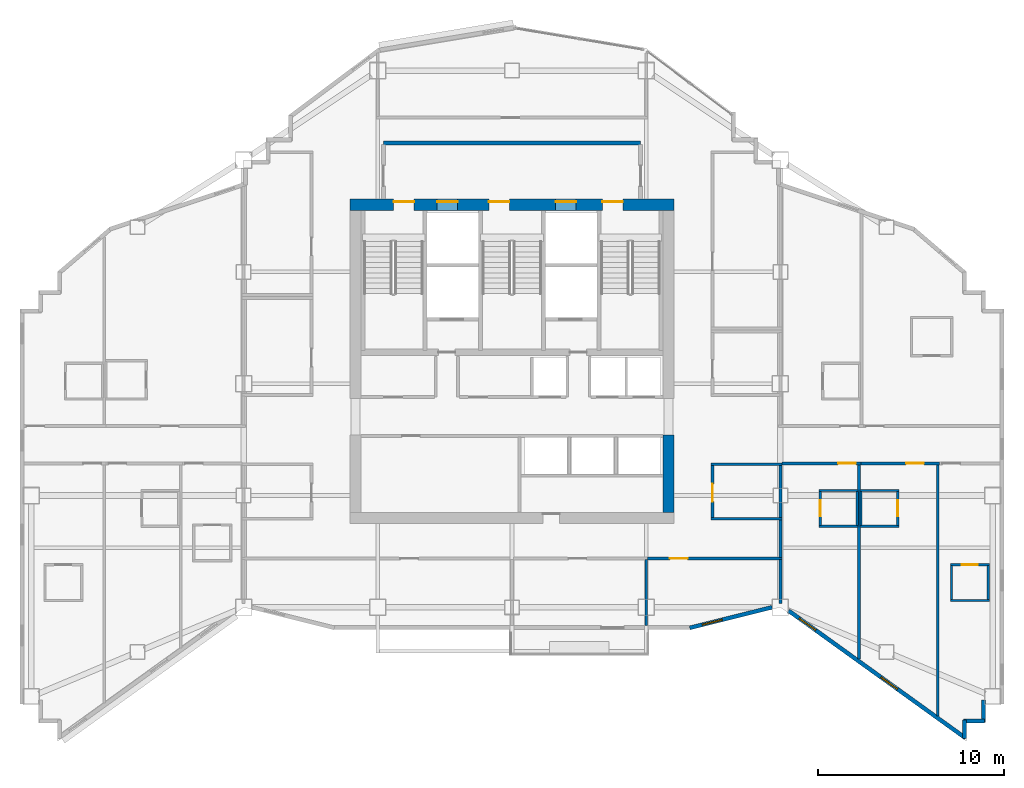
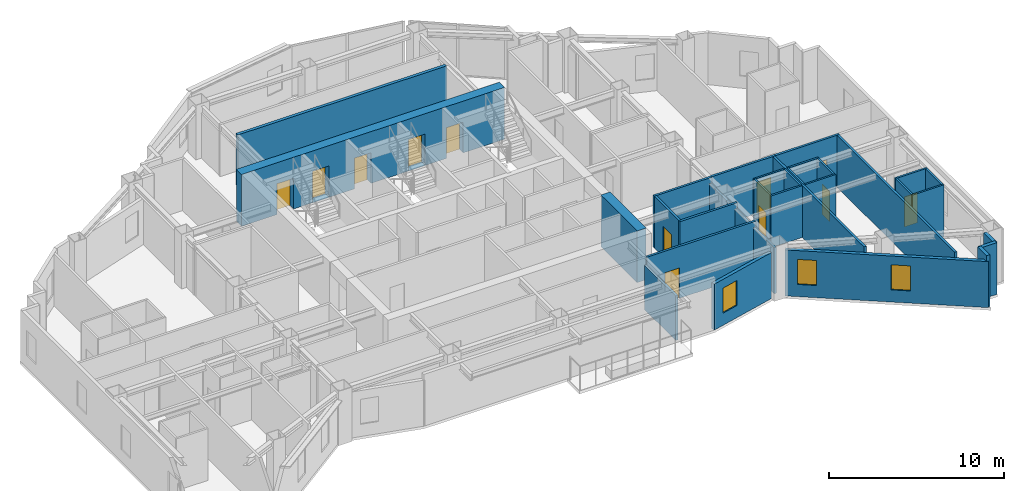
# One storey, part 7 of 11: 32 walls, 12 doors, 3 windows, 15 openings.
"""IFC4 building model written with IfcOpenShell, lengths in metres."""

from ifc_helpers import new_model, si_unit, direction, frame, frame_2d, origin, place, context, subcontext, project, spatial, rectangle, extrude, material, layer, layer_set, type_object, element, fill, save


model = new_model("IFC4")

# Units and contexts
model_context = context("Model", 3, precision=1e-05, world=origin(), true_north=direction((0.0, 1.0)))
body_context = subcontext(model_context, "Body", "Model", "MODEL_VIEW")
ifc_project = project(units=[si_unit("LENGTHUNIT", "METRE"), si_unit("AREAUNIT", "SQUARE_METRE"), si_unit("VOLUMEUNIT", "CUBIC_METRE"), si_unit("PLANEANGLEUNIT", "RADIAN"), si_unit("MASSUNIT", "GRAM", prefix="KILO")], contexts=[model_context])

# Site, building, storey
site_placement = place(None, origin())
site = spatial("IfcSite", under=ifc_project, at=site_placement, CompositionType="ELEMENT")
building_placement = place(site_placement, origin())
building = spatial("IfcBuilding", under=site, at=building_placement, Name="Haolan Belvedere Tower", CompositionType="ELEMENT")
storey_placement = place(building_placement, frame((0.0, 0.0, 199.39990234375)))
storey = spatial("IfcBuildingStorey", under=building, at=storey_placement, Name="L50", CompositionType="ELEMENT", Elevation=199.39990234375)

# Wall, openings, doors
ifc_material_1 = material(Name="Concrete C60/75", Category="concrete")
ifc_layer_1 = layer(ifc_material_1, 0.60009765625, Name="Concrete C60/75")
ifc_layer_set_1 = layer_set([ifc_layer_1], Name="Concrete C60/75")
wall_type_1 = type_object("IfcWallType", Name="WL-CORE-600", PredefinedType="SHEAR", material=ifc_layer_set_1)
wall_1_placement = place(storey_placement, frame((29.699951171875, 43.199951171875, 0.0), z_axis=(0.0, 0.0, 1.0), x_axis=(1.0, 0.0, 0.0)))
wall_1 = element("IfcWall", 1, at=wall_1_placement, inside=storey, type_object=wall_type_1, Name="L50 central core north shear wall", PredefinedType="SHEAR", context=body_context, shape_type="SweptSolid", body=[
    extrude(rectangle(XDim=17.400146484375, YDim=0.60009765625, at=frame_2d((8.7001953125, 0.0))), origin(), (0.0, 0.0, 1.0), 3.6201171875),
])
opening_1_placement = place(wall_1_placement, frame((2.35009765625, 0.0, 0.0)))
opening_1 = element("IfcOpeningElement", 2, at=opening_1_placement, cuts=wall_1, Name="Opening FD-03", PredefinedType="OPENING", context=body_context, shape_type="SweptSolid", body=[
    extrude(rectangle(XDim=1.10009765625, YDim=2.14990234375, at=frame_2d((0.550048828125, 1.074951171875))), frame((0.0, 0.31005859375, 0.0), z_axis=(0.0, -1.0, 0.0), x_axis=(1.0, 0.0, 0.0)), (0.0, 0.0, 1.0), 0.6201171875),
])
opening_2_placement = place(wall_1_placement, frame((7.4599609375, 0.0, 0.0)))
opening_2 = element("IfcOpeningElement", 3, at=opening_2_placement, cuts=wall_1, Name="Opening FD-03", PredefinedType="OPENING", context=body_context, shape_type="SweptSolid", body=[
    extrude(rectangle(XDim=1.10009765625, YDim=2.14990234375, at=frame_2d((0.550048828125, 1.074951171875))), frame((0.0, 0.31005859375, 0.0), z_axis=(0.0, -1.0, 0.0), x_axis=(1.0, 0.0, 0.0)), (0.0, 0.0, 1.0), 0.6201171875),
])
opening_3_placement = place(wall_1_placement, frame((13.550048828125, 0.0, 0.0)))
opening_3 = element("IfcOpeningElement", 4, at=opening_3_placement, cuts=wall_1, Name="Opening FD-03", PredefinedType="OPENING", context=body_context, shape_type="SweptSolid", body=[
    extrude(rectangle(XDim=1.10009765625, YDim=2.14990234375, at=frame_2d((0.550048828125, 1.074951171875))), frame((0.0, 0.31005859375, 0.0), z_axis=(0.0, -1.0, 0.0), x_axis=(1.0, 0.0, 0.0)), (0.0, 0.0, 1.0), 0.6201171875),
])
opening_4_placement = place(wall_1_placement, frame((4.679931640625, 0.0, 0.0)))
opening_4 = element("IfcOpeningElement", 5, at=opening_4_placement, cuts=wall_1, Name="Opening LD-01", PredefinedType="OPENING", context=body_context, shape_type="SweptSolid", body=[
    extrude(rectangle(XDim=1.10009765625, YDim=2.199951171875, at=frame_2d((0.550048828125, 1.10009765625))), frame((0.0, 0.31005859375, 0.0), z_axis=(0.0, -1.0, 0.0), x_axis=(1.0, 0.0, 0.0)), (0.0, 0.0, 1.0), 0.6201171875),
])
opening_5_placement = place(wall_1_placement, frame((11.0400390625, 0.0, 0.0)))
opening_5 = element("IfcOpeningElement", 6, at=opening_5_placement, cuts=wall_1, Name="Opening LD-01", PredefinedType="OPENING", context=body_context, shape_type="SweptSolid", body=[
    extrude(rectangle(XDim=1.10009765625, YDim=2.199951171875, at=frame_2d((0.550048828125, 1.10009765625))), frame((0.0, 0.31005859375, 0.0), z_axis=(0.0, -1.0, 0.0), x_axis=(1.0, 0.0, 0.0)), (0.0, 0.0, 1.0), 0.6201171875),
])
ifc_material_2 = material(Name="Galvanised fire-rated steel", Category="steel")
door_type_1 = type_object("IfcDoorType", Name="DR-FD90-1100", OperationType="NOTDEFINED", PredefinedType="DOOR", material=ifc_material_2)
door_1_placement = place(opening_1_placement, origin())
door_1 = element("IfcDoor", 7, at=door_1_placement, inside=storey, type_object=door_type_1, Name="L50 door CD-L50-ST1", OperationType="SINGLE_SWING_LEFT", OverallHeight=2.14990234375, OverallWidth=1.10009765625, PredefinedType="DOOR", context=body_context, shape_type="SweptSolid", body=[
    extrude(rectangle(XDim=1.10009765625, YDim=2.14990234375, at=frame_2d((0.550048828125, 1.074951171875))), frame((0.0, 0.18505859375, 0.0), z_axis=(0.0, -1.0, 0.0), x_axis=(1.0, 0.0, 0.0)), (0.0, 0.0, 1.0), 0.050048828125),
])
fill(opening_1, door_1)
door_2_placement = place(opening_2_placement, origin())
door_2 = element("IfcDoor", 8, at=door_2_placement, inside=storey, type_object=door_type_1, Name="L50 door CD-L50-ST3", OperationType="SINGLE_SWING_LEFT", OverallHeight=2.14990234375, OverallWidth=1.10009765625, PredefinedType="DOOR", context=body_context, shape_type="SweptSolid", body=[
    extrude(rectangle(XDim=1.10009765625, YDim=2.14990234375, at=frame_2d((0.550048828125, 1.074951171875))), frame((0.0, 0.18505859375, 0.0), z_axis=(0.0, -1.0, 0.0), x_axis=(1.0, 0.0, 0.0)), (0.0, 0.0, 1.0), 0.050048828125),
])
fill(opening_2, door_2)
door_3_placement = place(opening_3_placement, origin())
door_3 = element("IfcDoor", 9, at=door_3_placement, inside=storey, type_object=door_type_1, Name="L50 door CD-L50-ST2", OperationType="SINGLE_SWING_RIGHT", OverallHeight=2.14990234375, OverallWidth=1.10009765625, PredefinedType="DOOR", context=body_context, shape_type="SweptSolid", body=[
    extrude(rectangle(XDim=1.10009765625, YDim=2.14990234375, at=frame_2d((0.550048828125, 1.074951171875))), frame((0.0, 0.18505859375, 0.0), z_axis=(0.0, -1.0, 0.0), x_axis=(1.0, 0.0, 0.0)), (0.0, 0.0, 1.0), 0.050048828125),
])
fill(opening_3, door_3)
ifc_material_3 = material(Name="Brushed champagne stainless steel 316L", Category="steel")
door_type_2 = type_object("IfcDoorType", Name="DR-LIFT-1100", OperationType="SLIDING_TO_LEFT", PredefinedType="DOOR", material=ifc_material_3)
door_4_placement = place(opening_4_placement, origin())
door_4 = element("IfcDoor", 10, at=door_4_placement, inside=storey, type_object=door_type_2, Name="L50 door LD-L50-FF1", OperationType="SLIDING_TO_LEFT", OverallHeight=2.199951171875, OverallWidth=1.10009765625, PredefinedType="DOOR", context=body_context, shape_type="SweptSolid", body=[
    extrude(rectangle(XDim=1.10009765625, YDim=2.199951171875, at=frame_2d((0.550048828125, 1.10009765625))), frame((0.0, 0.18505859375, 0.0), z_axis=(0.0, -1.0, 0.0), x_axis=(1.0, 0.0, 0.0)), (0.0, 0.0, 1.0), 0.050048828125),
])
fill(opening_4, door_4)
door_5_placement = place(opening_5_placement, origin())
door_5 = element("IfcDoor", 11, at=door_5_placement, inside=storey, type_object=door_type_2, Name="L50 door LD-L50-FF2", OperationType="SLIDING_TO_LEFT", OverallHeight=2.199951171875, OverallWidth=1.10009765625, PredefinedType="DOOR", context=body_context, shape_type="SweptSolid", body=[
    extrude(rectangle(XDim=1.10009765625, YDim=2.199951171875, at=frame_2d((0.550048828125, 1.10009765625))), frame((0.0, 0.18505859375, 0.0), z_axis=(0.0, -1.0, 0.0), x_axis=(1.0, 0.0, 0.0)), (0.0, 0.0, 1.0), 0.050048828125),
])
fill(opening_5, door_5)

# Wall
wall_2_placement = place(storey_placement, frame((46.800048828125, 26.699951171875, 0.0), z_axis=(0.0, 0.0, 1.0), x_axis=(0.0, 1.0, 0.0)))
element("IfcWall", 12, at=wall_2_placement, inside=storey, type_object=wall_type_1, Name="L50 central core shear wall ES", PredefinedType="SHEAR", context=body_context, shape_type="SweptSolid", body=[
    extrude(rectangle(XDim=4.150146484375, YDim=0.60009765625, at=frame_2d((2.0751953125, 0.0))), origin(), (0.0, 0.0, 1.0), 3.6201171875),
])

# Wall, opening, window
ifc_material_4 = material(Name="Precast concrete C40/50", Category="concrete")
ifc_layer_2 = layer(ifc_material_4, 0.219970703125, Name="Precast concrete C40/50")
ifc_layer_set_2 = layer_set([ifc_layer_2], Name="Precast concrete C40/50")
wall_type_2 = type_object("IfcWallType", Name="WL-EXT-220", PredefinedType="SOLIDWALL", material=ifc_layer_set_2)
wall_3_placement = place(storey_placement, frame((47.93310546875, 20.49658203125, 0.0), z_axis=(0.0, 0.0, 1.0), x_axis=(0.970142500145, 0.242535625036, 0.0)))
wall_3 = element("IfcWall", 13, at=wall_3_placement, inside=storey, type_object=wall_type_2, Name="L50 pale-metal exterior spandrel wall 2.1", PredefinedType="SOLIDWALL", context=body_context, shape_type="SweptSolid", body=[
    extrude(rectangle(XDim=4.56103515625, YDim=0.219970703125, at=frame_2d((2.280517578125, 0.0))), origin(), (0.0, 0.0, 1.0), 3.215087890625),
])
opening_6_placement = place(wall_3_placement, frame((0.699951171875, 0.0, 0.85009765625)))
opening_6 = element("IfcOpeningElement", 14, at=opening_6_placement, cuts=wall_3, Name="Opening W-03", PredefinedType="OPENING", context=body_context, shape_type="SweptSolid", body=[
    extrude(rectangle(XDim=1.10009765625, YDim=1.75, at=frame_2d((0.550048828125, 0.875))), frame((0.0, 0.119873046875, 0.0), z_axis=(0.0, -1.0, 0.0), x_axis=(1.0, 0.0, 0.0)), (0.0, 0.0, 1.0), 0.239990234375),
])
ifc_material_5 = material(Name="Anodised aluminium 6063-T6 and Low-E glass", Category="aluminium")
window_type = type_object("IfcWindowType", Name="WN-DECO-Z3", PartitioningType="SINGLE_PANEL", PredefinedType="WINDOW", material=ifc_material_5)
window_1_placement = place(opening_6_placement, origin())
window_1 = element("IfcWindow", 15, at=window_1_placement, inside=storey, type_object=window_type, Name="L50 Art Deco chevron window 1", OverallHeight=1.75, OverallWidth=1.10009765625, PartitioningType="SINGLE_PANEL", PredefinedType="WINDOW", context=body_context, shape_type="SweptSolid", body=[
    extrude(rectangle(XDim=1.10009765625, YDim=1.75, at=frame_2d((0.550048828125, 0.875))), frame((0.0, 0.030029296875, 0.0), z_axis=(0.0, -1.0, 0.0), x_axis=(1.0, 0.0, 0.0)), (0.0, 0.0, 1.0), 0.06005859375),
])
fill(opening_6, window_1)

# Wall, openings, windows
wall_4_placement = place(storey_placement, frame((53.241943359375, 21.417236328125, 0.0), z_axis=(0.0, 0.0, 1.0), x_axis=(0.811534737332, -0.58430417601, 0.0)))
wall_4 = element("IfcWall", 16, at=wall_4_placement, inside=storey, type_object=wall_type_2, Name="L50 pale-metal exterior spandrel wall 3.1", PredefinedType="SOLIDWALL", context=body_context, shape_type="SweptSolid", body=[
    extrude(rectangle(XDim=11.697265625, YDim=0.219970703125, at=frame_2d((5.8486328125, 0.0))), origin(), (0.0, 0.0, 1.0), 3.215087890625),
])
opening_7_placement = place(wall_4_placement, frame((0.699951171875, 0.0, 0.85009765625)))
opening_7 = element("IfcOpeningElement", 17, at=opening_7_placement, cuts=wall_4, Name="Opening W-03", PredefinedType="OPENING", context=body_context, shape_type="SweptSolid", body=[
    extrude(rectangle(XDim=1.10009765625, YDim=1.75, at=frame_2d((0.550048828125, 0.875))), frame((0.0, 0.119873046875, 0.0), z_axis=(0.0, -1.0, 0.0), x_axis=(1.0, 0.0, 0.0)), (0.0, 0.0, 1.0), 0.239990234375),
])
opening_8_placement = place(wall_4_placement, frame((6.10009765625, 0.0, 0.85009765625)))
opening_8 = element("IfcOpeningElement", 18, at=opening_8_placement, cuts=wall_4, Name="Opening W-03", PredefinedType="OPENING", context=body_context, shape_type="SweptSolid", body=[
    extrude(rectangle(XDim=1.10009765625, YDim=1.75, at=frame_2d((0.550048828125, 0.875))), frame((0.0, 0.119873046875, 0.0), z_axis=(0.0, -1.0, 0.0), x_axis=(1.0, 0.0, 0.0)), (0.0, 0.0, 1.0), 0.239990234375),
])
window_2_placement = place(opening_7_placement, origin())
window_2 = element("IfcWindow", 19, at=window_2_placement, inside=storey, type_object=window_type, Name="L50 Art Deco chevron window 1", OverallHeight=1.75, OverallWidth=1.10009765625, PartitioningType="SINGLE_PANEL", PredefinedType="WINDOW", context=body_context, shape_type="SweptSolid", body=[
    extrude(rectangle(XDim=1.10009765625, YDim=1.75, at=frame_2d((0.550048828125, 0.875))), frame((0.0, 0.030029296875, 0.0), z_axis=(0.0, -1.0, 0.0), x_axis=(1.0, 0.0, 0.0)), (0.0, 0.0, 1.0), 0.06005859375),
])
fill(opening_7, window_2)
window_3_placement = place(opening_8_placement, origin())
window_3 = element("IfcWindow", 20, at=window_3_placement, inside=storey, type_object=window_type, Name="L50 Art Deco chevron window 2", OverallHeight=1.75, OverallWidth=1.10009765625, PartitioningType="SINGLE_PANEL", PredefinedType="WINDOW", context=body_context, shape_type="SweptSolid", body=[
    extrude(rectangle(XDim=1.10009765625, YDim=1.75, at=frame_2d((0.550048828125, 0.875))), frame((0.0, 0.030029296875, 0.0), z_axis=(0.0, -1.0, 0.0), x_axis=(1.0, 0.0, 0.0)), (0.0, 0.0, 1.0), 0.06005859375),
])
fill(opening_8, window_3)

# Walls
wall_5_placement = place(storey_placement, frame((62.68994140625, 14.559814453125, 0.0), z_axis=(0.0, 0.0, 1.0), x_axis=(0.0, 1.0, 0.0)))
element("IfcWall", 21, at=wall_5_placement, inside=storey, type_object=wall_type_2, Name="L50 pale-metal exterior spandrel wall 4.1", PredefinedType="SOLIDWALL", context=body_context, shape_type="SweptSolid", body=[
    extrude(rectangle(XDim=1.005126953125, YDim=0.219970703125, at=frame_2d((0.50244140625, 0.0))), origin(), (0.0, 0.0, 1.0), 3.6201171875),
])
wall_6_placement = place(storey_placement, frame((62.635009765625, 15.510009765625, 0.0), z_axis=(0.0, 0.0, 1.0), x_axis=(1.0, 0.0, 0.0)))
element("IfcWall", 22, at=wall_6_placement, inside=storey, type_object=wall_type_2, Name="L50 pale-metal exterior spandrel wall 5.1", PredefinedType="SOLIDWALL", context=body_context, shape_type="SweptSolid", body=[
    extrude(rectangle(XDim=1.110107421875, YDim=0.219970703125, at=frame_2d((0.55517578125, 0.0))), origin(), (0.0, 0.0, 1.0), 3.6201171875),
])
wall_7_placement = place(storey_placement, frame((63.68994140625, 15.455078125, 0.0), z_axis=(0.0, 0.0, 1.0), x_axis=(0.0, 1.0, 0.0)))
element("IfcWall", 23, at=wall_7_placement, inside=storey, type_object=wall_type_2, Name="L50 pale-metal exterior spandrel wall 6.1", PredefinedType="SOLIDWALL", context=body_context, shape_type="SweptSolid", body=[
    extrude(rectangle(XDim=1.1650390625, YDim=0.219970703125, at=frame_2d((0.58251953125, 0.0))), origin(), (0.0, 0.0, 1.0), 3.6201171875),
])
ifc_material_6 = material(Name="Concrete C40/50", Category="concrete")
ifc_layer_3 = layer(ifc_material_6, 0.199951171875, Name="Concrete C40/50")
ifc_layer_set_3 = layer_set([ifc_layer_3], Name="Concrete C40/50")
wall_type_3 = type_object("IfcWallType", Name="WL-FIRE-200", PredefinedType="SOLIDWALL", material=ifc_layer_set_3)
wall_8_placement = place(storey_placement, frame((31.5, 46.52001953125, 0.0), z_axis=(0.0, 0.0, 1.0), x_axis=(1.0, 0.0, 0.0)))
element("IfcWall", 24, at=wall_8_placement, inside=storey, type_object=wall_type_3, Name="L50 interior partition IW-L50-FFL-N", PredefinedType="SOLIDWALL", context=body_context, shape_type="SweptSolid", body=[
    extrude(rectangle(XDim=13.800048828125, YDim=0.199951171875, at=frame_2d((6.89990234375, 0.0))), origin(), (0.0, 0.0, 1.0), 3.6201171875),
])
ifc_material_7 = material(Name="Double gypsum acoustic stud partition", Category="masonry")
ifc_layer_4 = layer(ifc_material_7, 0.14990234375, Name="Double gypsum acoustic stud partition")
ifc_layer_set_4 = layer_set([ifc_layer_4], Name="Double gypsum acoustic stud partition")
wall_type_4 = type_object("IfcWallType", Name="WL-PART-150", PredefinedType="PARTITIONING", material=ifc_layer_set_4)
for number, where, z_axis, x_axis, name in (
    (25, (49.080078125, 29.280029296875, 0.0), (0.0, 0.0, 1.0), (1.0, 0.0, 0.0), "L50 interior partition IW-L50-PKTE-N"),
    (26, (49.080078125, 26.35009765625, 0.0), (0.0, 0.0, 1.0), (1.0, 0.0, 0.0), "L50 interior partition IW-L50-PKTE-S"),
):
    element("IfcWall", number, at=place(storey_placement, frame(where, z_axis=z_axis, x_axis=x_axis)), inside=storey, type_object=wall_type_4, Name=name, PredefinedType="PARTITIONING", context=body_context, shape_type="SweptSolid", body=[
        extrude(rectangle(XDim=3.7998046875, YDim=0.14990234375, at=frame_2d((1.89990234375, 0.0))), origin(), (0.0, 0.0, 1.0), 3.6201171875),
    ])

# Wall, opening, door
wall_9_placement = place(storey_placement, frame((49.159912109375, 26.409912109375, 0.0), z_axis=(0.0, 0.0, 1.0), x_axis=(0.0, 1.0, 0.0)))
wall_9 = element("IfcWall", 27, at=wall_9_placement, inside=storey, type_object=wall_type_4, Name="L50 interior partition IW-L50-PKTE-W", PredefinedType="PARTITIONING", context=body_context, shape_type="SweptSolid", body=[
    extrude(rectangle(XDim=2.81005859375, YDim=0.14990234375, at=frame_2d((1.405029296875, 0.0))), origin(), (0.0, 0.0, 1.0), 3.6201171875),
])
opening_9_placement = place(wall_9_placement, frame((0.860107421875, 0.0, 0.0)))
opening_9 = element("IfcOpeningElement", 28, at=opening_9_placement, cuts=wall_9, Name="Opening ID-03", PredefinedType="OPENING", context=body_context, shape_type="SweptSolid", body=[
    extrude(rectangle(XDim=0.949951171875, YDim=2.1201171875, at=frame_2d((0.47509765625, 1.06005859375))), frame((0.0, 0.0849609375, 0.0), z_axis=(0.0, -1.0, 0.0), x_axis=(1.0, 0.0, 0.0)), (0.0, 0.0, 1.0), 0.169921875),
])
ifc_material_8 = material(Name="Painted solid-core timber", Category="wood")
door_type_3 = type_object("IfcDoorType", Name="DR-INT-950", OperationType="NOTDEFINED", PredefinedType="DOOR", material=ifc_material_8)
door_6_placement = place(opening_9_placement, origin())
door_6 = element("IfcDoor", 29, at=door_6_placement, inside=storey, type_object=door_type_3, Name="L50 door ID-L50-PKTE", OperationType="SINGLE_SWING_RIGHT", OverallHeight=2.1201171875, OverallWidth=0.949951171875, PredefinedType="DOOR", context=body_context, shape_type="SweptSolid", body=[
    extrude(rectangle(XDim=0.949951171875, YDim=2.1201171875, at=frame_2d((0.47509765625, 1.06005859375))), frame((0.0, 0.02490234375, 0.0), z_axis=(0.0, -1.0, 0.0), x_axis=(1.0, 0.0, 0.0)), (0.0, 0.0, 1.0), 0.050048828125),
])
fill(opening_9, door_6)

# Walls
wall_10_placement = place(storey_placement, frame((52.800048828125, 26.409912109375, 0.0), z_axis=(0.0, 0.0, 1.0), x_axis=(0.0, 1.0, 0.0)))
element("IfcWall", 30, at=wall_10_placement, inside=storey, type_object=wall_type_4, Name="L50 interior partition IW-L50-PKTE-E", PredefinedType="PARTITIONING", context=body_context, shape_type="SweptSolid", body=[
    extrude(rectangle(XDim=2.81005859375, YDim=0.14990234375, at=frame_2d((1.405029296875, 0.0))), origin(), (0.0, 0.0, 1.0), 3.215087890625),
])
wall_11_placement = place(storey_placement, frame((45.60009765625, 20.612060546875, 0.0), z_axis=(0.0, 0.0, 1.0), x_axis=(0.0, 1.0, 0.0)))
element("IfcWall", 31, at=wall_11_placement, inside=storey, type_object=wall_type_4, Name="L50 interior partition IW-L50-KS2-E", PredefinedType="PARTITIONING", context=body_context, shape_type="SweptSolid", body=[
    extrude(rectangle(XDim=3.5478515625, YDim=0.14990234375, at=frame_2d((1.77392578125, 0.0))), origin(), (0.0, 0.0, 1.0), 3.10498046875),
])

# Wall, opening, door
wall_12_placement = place(storey_placement, frame((45.681884765625, 24.219970703125, 0.0), z_axis=(0.0, 0.0, 1.0), x_axis=(1.0, 0.0, 0.0)))
wall_12 = element("IfcWall", 32, at=wall_12_placement, inside=storey, type_object=wall_type_4, Name="L50 interior partition IW-L50-KS3-N", PredefinedType="PARTITIONING", context=body_context, shape_type="SweptSolid", body=[
    extrude(rectangle(XDim=7.197998046875, YDim=0.14990234375, at=frame_2d((3.59912109375, 0.0))), origin(), (0.0, 0.0, 1.0), 3.6201171875),
])
opening_10_placement = place(wall_12_placement, frame((2.14306640625, 0.0, 0.0), z_axis=(0.0, 0.0, 1.0), x_axis=(-1.0, 0.0, 0.0)))
opening_10 = element("IfcOpeningElement", 33, at=opening_10_placement, cuts=wall_12, Name="Opening ID-03", PredefinedType="OPENING", context=body_context, shape_type="SweptSolid", body=[
    extrude(rectangle(XDim=0.949951171875, YDim=2.1201171875, at=frame_2d((0.47509765625, 1.06005859375))), frame((0.0, 0.0849609375, 0.0), z_axis=(0.0, -1.0, 0.0), x_axis=(1.0, 0.0, 0.0)), (0.0, 0.0, 1.0), 0.169921875),
])
door_7_placement = place(opening_10_placement, origin())
door_7 = element("IfcDoor", 34, at=door_7_placement, inside=storey, type_object=door_type_3, Name="L50 door ID-L50-KS3", OperationType="SINGLE_SWING_RIGHT", OverallHeight=2.1201171875, OverallWidth=0.949951171875, PredefinedType="DOOR", context=body_context, shape_type="SweptSolid", body=[
    extrude(rectangle(XDim=0.949951171875, YDim=2.1201171875, at=frame_2d((0.47509765625, 1.06005859375))), frame((0.0, 0.02490234375, 0.0), z_axis=(0.0, -1.0, 0.0), x_axis=(1.0, 0.0, 0.0)), (0.0, 0.0, 1.0), 0.050048828125),
])
fill(opening_10, door_7)

# Wall
wall_13_placement = place(storey_placement, frame((52.800048828125, 21.818603515625, 0.0), z_axis=(0.0, 0.0, 1.0), x_axis=(0.0, 1.0, 0.0)))
element("IfcWall", 35, at=wall_13_placement, inside=storey, type_object=wall_type_4, Name="L50 interior partition IW-L50-KS3-E", PredefinedType="PARTITIONING", context=body_context, shape_type="SweptSolid", body=[
    extrude(rectangle(XDim=2.34130859375, YDim=0.14990234375, at=frame_2d((1.170654296875, 0.0))), origin(), (0.0, 0.0, 1.0), 3.215087890625),
])

# Wall, opening, door
wall_14_placement = place(storey_placement, frame((52.882080078125, 29.320068359375, 0.0), z_axis=(0.0, 0.0, 1.0), x_axis=(1.0, 0.0, 0.0)))
wall_14 = element("IfcWall", 36, at=wall_14_placement, inside=storey, type_object=wall_type_4, Name="L50 interior partition IW-L50-T4S1-N", PredefinedType="PARTITIONING", context=body_context, shape_type="SweptSolid", body=[
    extrude(rectangle(XDim=4.238037109375, YDim=0.14990234375, at=frame_2d((2.119140625, 0.0))), origin(), (0.0, 0.0, 1.0), 3.6201171875),
])
opening_11_placement = place(wall_14_placement, frame((3.971923828125, 0.0, 0.0), z_axis=(0.0, 0.0, 1.0), x_axis=(-1.0, 0.0, 0.0)))
opening_11 = element("IfcOpeningElement", 37, at=opening_11_placement, cuts=wall_14, Name="Opening ID-02", PredefinedType="OPENING", context=body_context, shape_type="SweptSolid", body=[
    extrude(rectangle(XDim=0.949951171875, YDim=2.14990234375, at=frame_2d((0.47509765625, 1.074951171875))), frame((0.0, 0.0849609375, 0.0), z_axis=(0.0, -1.0, 0.0), x_axis=(1.0, 0.0, 0.0)), (0.0, 0.0, 1.0), 0.169921875),
])
ifc_material_9 = material(Name="Acoustic oak veneer fire-rated timber", Category="wood")
door_type_4 = type_object("IfcDoorType", Name="DR-GUEST-950", OperationType="NOTDEFINED", PredefinedType="DOOR", material=ifc_material_9)
door_8_placement = place(opening_11_placement, origin())
door_8 = element("IfcDoor", 38, at=door_8_placement, inside=storey, type_object=door_type_4, Name="L50 door ID-L50-T4S1-ENT", OperationType="SINGLE_SWING_LEFT", OverallHeight=2.14990234375, OverallWidth=0.949951171875, PredefinedType="DOOR", context=body_context, shape_type="SweptSolid", body=[
    extrude(rectangle(XDim=0.949951171875, YDim=2.14990234375, at=frame_2d((0.47509765625, 1.074951171875))), frame((0.0, 0.02490234375, 0.0), z_axis=(0.0, -1.0, 0.0), x_axis=(1.0, 0.0, 0.0)), (0.0, 0.0, 1.0), 0.050048828125),
])
fill(opening_11, door_8)

# Walls
wall_15_placement = place(storey_placement, frame((52.800048828125, 24.280029296875, 0.0), z_axis=(0.0, 0.0, 1.0), x_axis=(0.0, 1.0, 0.0)))
element("IfcWall", 39, at=wall_15_placement, inside=storey, type_object=wall_type_4, Name="L50 interior partition IW-L50-T4S1-W", PredefinedType="PARTITIONING", context=body_context, shape_type="SweptSolid", body=[
    extrude(rectangle(XDim=2.010009765625, YDim=0.14990234375, at=frame_2d((1.0048828125, 0.0))), origin(), (0.0, 0.0, 1.0), 3.215087890625),
])
wall_16_placement = place(storey_placement, frame((57.02001953125, 18.82275390625, 0.0), z_axis=(0.0, 0.0, 1.0), x_axis=(0.0, 1.0, 0.0)))
element("IfcWall", 40, at=wall_16_placement, inside=storey, type_object=wall_type_4, Name="L50 interior partition IW-L50-T4S1-E", PredefinedType="PARTITIONING", context=body_context, shape_type="SweptSolid", body=[
    extrude(rectangle(XDim=10.437255859375, YDim=0.14990234375, at=frame_2d((5.21875, 0.0))), origin(), (0.0, 0.0, 1.0), 3.6201171875),
])

# Wall, opening, door
wall_17_placement = place(storey_placement, frame((57.1220703125, 29.320068359375, 0.0), z_axis=(0.0, 0.0, 1.0), x_axis=(1.0, 0.0, 0.0)))
wall_17 = element("IfcWall", 41, at=wall_17_placement, inside=storey, type_object=wall_type_4, Name="L50 interior partition IW-L50-T4S2-N", PredefinedType="PARTITIONING", context=body_context, shape_type="SweptSolid", body=[
    extrude(rectangle(XDim=4.22802734375, YDim=0.14990234375, at=frame_2d((2.114013671875, 0.0))), origin(), (0.0, 0.0, 1.0), 3.6201171875),
])
opening_12_placement = place(wall_17_placement, frame((3.37939453125, 0.0, 0.0), z_axis=(0.0, 0.0, 1.0), x_axis=(-1.0, 0.0, 0.0)))
opening_12 = element("IfcOpeningElement", 42, at=opening_12_placement, cuts=wall_17, Name="Opening ID-02", PredefinedType="OPENING", context=body_context, shape_type="SweptSolid", body=[
    extrude(rectangle(XDim=0.949951171875, YDim=2.14990234375, at=frame_2d((0.47509765625, 1.074951171875))), frame((0.0, 0.0849609375, 0.0), z_axis=(0.0, -1.0, 0.0), x_axis=(1.0, 0.0, 0.0)), (0.0, 0.0, 1.0), 0.169921875),
])
door_9_placement = place(opening_12_placement, origin())
door_9 = element("IfcDoor", 43, at=door_9_placement, inside=storey, type_object=door_type_4, Name="L50 door ID-L50-T4S2-ENT", OperationType="SINGLE_SWING_RIGHT", OverallHeight=2.14990234375, OverallWidth=0.949951171875, PredefinedType="DOOR", context=body_context, shape_type="SweptSolid", body=[
    extrude(rectangle(XDim=0.949951171875, YDim=2.14990234375, at=frame_2d((0.47509765625, 1.074951171875))), frame((0.0, 0.02490234375, 0.0), z_axis=(0.0, -1.0, 0.0), x_axis=(1.0, 0.0, 0.0)), (0.0, 0.0, 1.0), 0.050048828125),
])
fill(opening_12, door_9)

# Walls
wall_18_placement = place(storey_placement, frame((61.25, 15.777099609375, 0.0), z_axis=(0.0, 0.0, 1.0), x_axis=(0.0, 1.0, 0.0)))
element("IfcWall", 44, at=wall_18_placement, inside=storey, type_object=wall_type_4, Name="L50 interior partition IW-L50-T4S2-E", PredefinedType="PARTITIONING", context=body_context, shape_type="SweptSolid", body=[
    extrude(rectangle(XDim=13.48291015625, YDim=0.14990234375, at=frame_2d((6.741455078125, 0.0))), origin(), (0.0, 0.0, 1.0), 3.6201171875),
])
ifc_material_10 = material(Name="Moisture-resistant gypsum tile partition", Category="masonry")
ifc_layer_5 = layer(ifc_material_10, 0.1201171875, Name="Moisture-resistant gypsum tile partition")
ifc_layer_set_5 = layer_set([ifc_layer_5], Name="Moisture-resistant gypsum tile partition")
wall_type_5 = type_object("IfcWallType", Name="WL-WET-120", PredefinedType="PARTITIONING", material=ifc_layer_set_5)
for number, where, z_axis, x_axis, name in (
    (45, (54.8798828125, 27.8701171875, 0.0), (0.0, 0.0, 1.0), (1.0, 0.0, 0.0), "L50 interior partition IW-L50-T4S1-BN"),
    (46, (54.8798828125, 25.949951171875, 0.0), (0.0, 0.0, 1.0), (1.0, 0.0, 0.0), "L50 interior partition IW-L50-T4S1-BS"),
):
    element("IfcWall", number, at=place(storey_placement, frame(where, z_axis=z_axis, x_axis=x_axis)), inside=storey, type_object=wall_type_5, Name=name, PredefinedType="PARTITIONING", context=body_context, shape_type="SweptSolid", body=[
        extrude(rectangle(XDim=2.080078125, YDim=0.1201171875, at=frame_2d((1.0400390625, 0.0))), origin(), (0.0, 0.0, 1.0), 3.6201171875),
    ])

# Wall, opening, door
wall_19_placement = place(storey_placement, frame((54.93994140625, 25.9951171875, 0.0), z_axis=(0.0, 0.0, 1.0), x_axis=(0.0, 1.0, 0.0)))
wall_19 = element("IfcWall", 47, at=wall_19_placement, inside=storey, type_object=wall_type_5, Name="L50 interior partition IW-L50-T4S1-BW", PredefinedType="PARTITIONING", context=body_context, shape_type="SweptSolid", body=[
    extrude(rectangle(XDim=1.829833984375, YDim=0.1201171875, at=frame_2d((0.9150390625, 0.0))), origin(), (0.0, 0.0, 1.0), 3.6201171875),
])
opening_13_placement = place(wall_19_placement, frame((1.340087890625, 0.0, 0.0), z_axis=(0.0, 0.0, 1.0), x_axis=(-1.0, 0.0, 0.0)))
opening_13 = element("IfcOpeningElement", 48, at=opening_13_placement, cuts=wall_19, Name="Opening ID-05", PredefinedType="OPENING", context=body_context, shape_type="SweptSolid", body=[
    extrude(rectangle(XDim=0.85009765625, YDim=2.10009765625, at=frame_2d((0.425048828125, 1.050048828125))), frame((0.0, 0.070068359375, 0.0), z_axis=(0.0, -1.0, 0.0), x_axis=(1.0, 0.0, 0.0)), (0.0, 0.0, 1.0), 0.14013671875),
])
ifc_material_11 = material(Name="Moisture-resistant lacquered timber", Category="wood")
door_type_5 = type_object("IfcDoorType", Name="DR-BATH-850", OperationType="NOTDEFINED", PredefinedType="DOOR", material=ifc_material_11)
door_10_placement = place(opening_13_placement, origin())
door_10 = element("IfcDoor", 49, at=door_10_placement, inside=storey, type_object=door_type_5, Name="L50 door ID-L50-T4S1-BATH", OperationType="SINGLE_SWING_RIGHT", OverallHeight=2.10009765625, OverallWidth=0.85009765625, PredefinedType="DOOR", context=body_context, shape_type="SweptSolid", body=[
    extrude(rectangle(XDim=0.85009765625, YDim=2.10009765625, at=frame_2d((0.425048828125, 1.050048828125))), frame((0.0, 0.02490234375, 0.0), z_axis=(0.0, -1.0, 0.0), x_axis=(1.0, 0.0, 0.0)), (0.0, 0.0, 1.0), 0.050048828125),
])
fill(opening_13, door_10)

# Walls
wall_20_placement = place(storey_placement, frame((56.919921875, 25.9951171875, 0.0), z_axis=(0.0, 0.0, 1.0), x_axis=(0.0, 1.0, 0.0)))
element("IfcWall", 50, at=wall_20_placement, inside=storey, type_object=wall_type_5, Name="L50 interior partition IW-L50-T4S1-BE", PredefinedType="PARTITIONING", context=body_context, shape_type="SweptSolid", body=[
    extrude(rectangle(XDim=1.829833984375, YDim=0.1201171875, at=frame_2d((0.9150390625, 0.0))), origin(), (0.0, 0.0, 1.0), 3.6201171875),
])
for number, where, z_axis, x_axis, name in (
    (51, (57.080078125, 27.8701171875, 0.0), (0.0, 0.0, 1.0), (1.0, 0.0, 0.0), "L50 interior partition IW-L50-T4S2-BN"),
    (52, (57.080078125, 25.949951171875, 0.0), (0.0, 0.0, 1.0), (1.0, 0.0, 0.0), "L50 interior partition IW-L50-T4S2-BS"),
):
    element("IfcWall", number, at=place(storey_placement, frame(where, z_axis=z_axis, x_axis=x_axis)), inside=storey, type_object=wall_type_5, Name=name, PredefinedType="PARTITIONING", context=body_context, shape_type="SweptSolid", body=[
        extrude(rectangle(XDim=2.079833984375, YDim=0.1201171875, at=frame_2d((1.0400390625, 0.0))), origin(), (0.0, 0.0, 1.0), 3.6201171875),
    ])
wall_21_placement = place(storey_placement, frame((57.1201171875, 25.9951171875, 0.0), z_axis=(0.0, 0.0, 1.0), x_axis=(0.0, 1.0, 0.0)))
element("IfcWall", 53, at=wall_21_placement, inside=storey, type_object=wall_type_5, Name="L50 interior partition IW-L50-T4S2-BW", PredefinedType="PARTITIONING", context=body_context, shape_type="SweptSolid", body=[
    extrude(rectangle(XDim=1.829833984375, YDim=0.1201171875, at=frame_2d((0.9150390625, 0.0))), origin(), (0.0, 0.0, 1.0), 3.6201171875),
])

# Wall, opening, door
wall_22_placement = place(storey_placement, frame((59.10009765625, 25.9951171875, 0.0), z_axis=(0.0, 0.0, 1.0), x_axis=(0.0, 1.0, 0.0)))
wall_22 = element("IfcWall", 54, at=wall_22_placement, inside=storey, type_object=wall_type_5, Name="L50 interior partition IW-L50-T4S2-BE", PredefinedType="PARTITIONING", context=body_context, shape_type="SweptSolid", body=[
    extrude(rectangle(XDim=1.829833984375, YDim=0.1201171875, at=frame_2d((0.9150390625, 0.0))), origin(), (0.0, 0.0, 1.0), 3.6201171875),
])
opening_14_placement = place(wall_22_placement, frame((0.489990234375, 0.0, 0.0)))
opening_14 = element("IfcOpeningElement", 55, at=opening_14_placement, cuts=wall_22, Name="Opening ID-05", PredefinedType="OPENING", context=body_context, shape_type="SweptSolid", body=[
    extrude(rectangle(XDim=0.85009765625, YDim=2.10009765625, at=frame_2d((0.425048828125, 1.050048828125))), frame((0.0, 0.070068359375, 0.0), z_axis=(0.0, -1.0, 0.0), x_axis=(1.0, 0.0, 0.0)), (0.0, 0.0, 1.0), 0.14013671875),
])
door_11_placement = place(opening_14_placement, origin())
door_11 = element("IfcDoor", 56, at=door_11_placement, inside=storey, type_object=door_type_5, Name="L50 door ID-L50-T4S2-BATH", OperationType="SINGLE_SWING_LEFT", OverallHeight=2.10009765625, OverallWidth=0.85009765625, PredefinedType="DOOR", context=body_context, shape_type="SweptSolid", body=[
    extrude(rectangle(XDim=0.85009765625, YDim=2.10009765625, at=frame_2d((0.425048828125, 1.050048828125))), frame((0.0, 0.02490234375, 0.0), z_axis=(0.0, -1.0, 0.0), x_axis=(1.0, 0.0, 0.0)), (0.0, 0.0, 1.0), 0.050048828125),
])
fill(opening_14, door_11)

wall_23_placement = place(storey_placement, frame((61.9169921875, 23.885009765625, 0.0), z_axis=(0.0, 0.0, 1.0), x_axis=(1.0, 0.0, 0.0)))
wall_23 = element("IfcWall", 57, at=wall_23_placement, inside=storey, type_object=wall_type_5, Name="L50 interior partition IW-L50-T4S3-BN", PredefinedType="PARTITIONING", context=body_context, shape_type="SweptSolid", body=[
    extrude(rectangle(XDim=2.10009765625, YDim=0.1201171875, at=frame_2d((1.050048828125, 0.0))), origin(), (0.0, 0.0, 1.0), 3.6201171875),
])
opening_15_placement = place(wall_23_placement, frame((1.47509765625, 0.0, 0.0), z_axis=(0.0, 0.0, 1.0), x_axis=(-1.0, 0.0, 0.0)))
opening_15 = element("IfcOpeningElement", 58, at=opening_15_placement, cuts=wall_23, Name="Opening ID-05", PredefinedType="OPENING", context=body_context, shape_type="SweptSolid", body=[
    extrude(rectangle(XDim=0.85009765625, YDim=2.10009765625, at=frame_2d((0.425048828125, 1.050048828125))), frame((0.0, 0.070068359375, 0.0), z_axis=(0.0, -1.0, 0.0), x_axis=(1.0, 0.0, 0.0)), (0.0, 0.0, 1.0), 0.14013671875),
])
door_12_placement = place(opening_15_placement, origin())
door_12 = element("IfcDoor", 59, at=door_12_placement, inside=storey, type_object=door_type_5, Name="L50 door ID-L50-T4S3-BATH", OperationType="SINGLE_SWING_RIGHT", OverallHeight=2.10009765625, OverallWidth=0.85009765625, PredefinedType="DOOR", context=body_context, shape_type="SweptSolid", body=[
    extrude(rectangle(XDim=0.85009765625, YDim=2.10009765625, at=frame_2d((0.425048828125, 1.050048828125))), frame((0.0, 0.02490234375, 0.0), z_axis=(0.0, -1.0, 0.0), x_axis=(1.0, 0.0, 0.0)), (0.0, 0.0, 1.0), 0.050048828125),
])
fill(opening_15, door_12)

# Walls
wall_24_placement = place(storey_placement, frame((61.9169921875, 21.965087890625, 0.0), z_axis=(0.0, 0.0, 1.0), x_axis=(1.0, 0.0, 0.0)))
element("IfcWall", 60, at=wall_24_placement, inside=storey, type_object=wall_type_5, Name="L50 interior partition IW-L50-T4S3-BS", PredefinedType="PARTITIONING", context=body_context, shape_type="SweptSolid", body=[
    extrude(rectangle(XDim=2.10009765625, YDim=0.1201171875, at=frame_2d((1.050048828125, 0.0))), origin(), (0.0, 0.0, 1.0), 3.6201171875),
])
for number, where, z_axis, x_axis, name in (
    (61, (61.97705078125, 22.010009765625, 0.0), (0.0, 0.0, 1.0), (0.0, 1.0, 0.0), "L50 interior partition IW-L50-T4S3-BW"),
    (62, (63.95703125, 22.010009765625, 0.0), (0.0, 0.0, 1.0), (0.0, 1.0, 0.0), "L50 interior partition IW-L50-T4S3-BE"),
):
    element("IfcWall", number, at=place(storey_placement, frame(where, z_axis=z_axis, x_axis=x_axis)), inside=storey, type_object=wall_type_5, Name=name, PredefinedType="PARTITIONING", context=body_context, shape_type="SweptSolid", body=[
        extrude(rectangle(XDim=1.830078125, YDim=0.1201171875, at=frame_2d((0.9150390625, 0.0))), origin(), (0.0, 0.0, 1.0), 3.6201171875),
    ])

save(model, "model.ifc")
